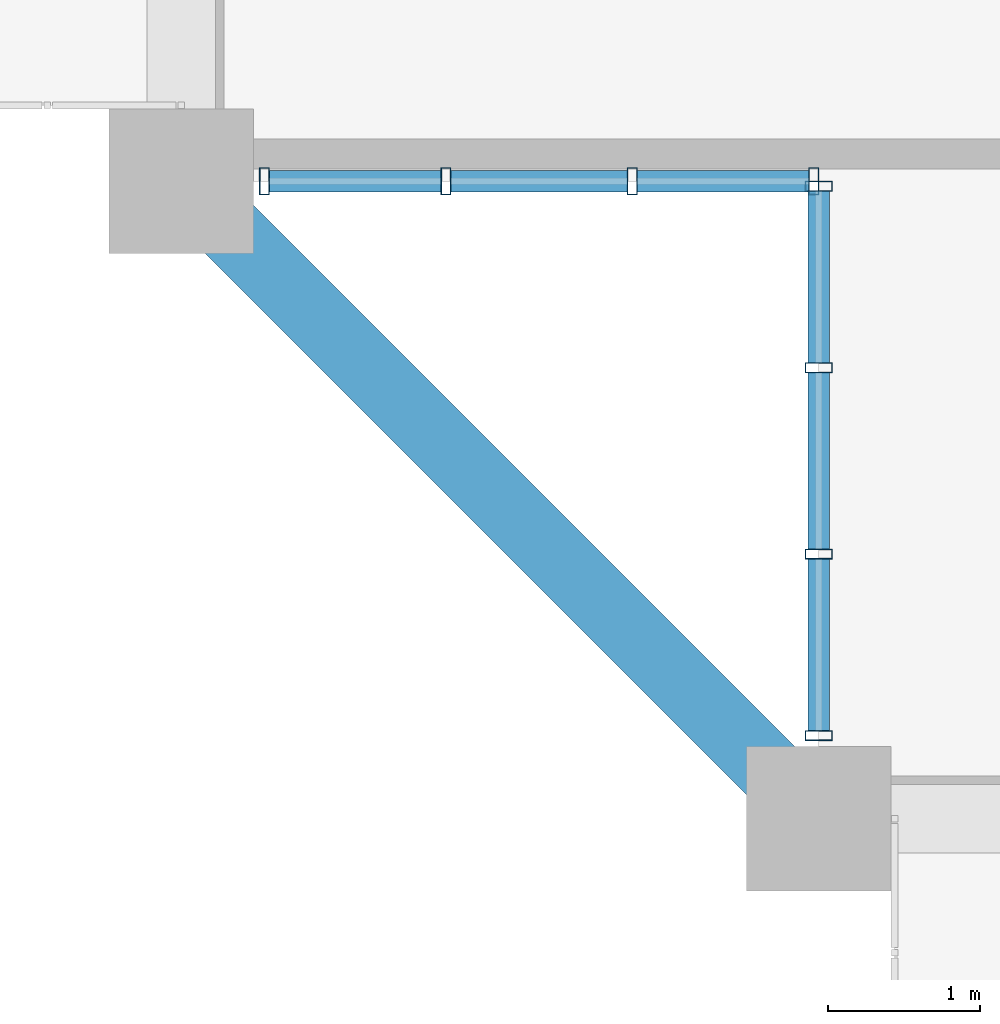
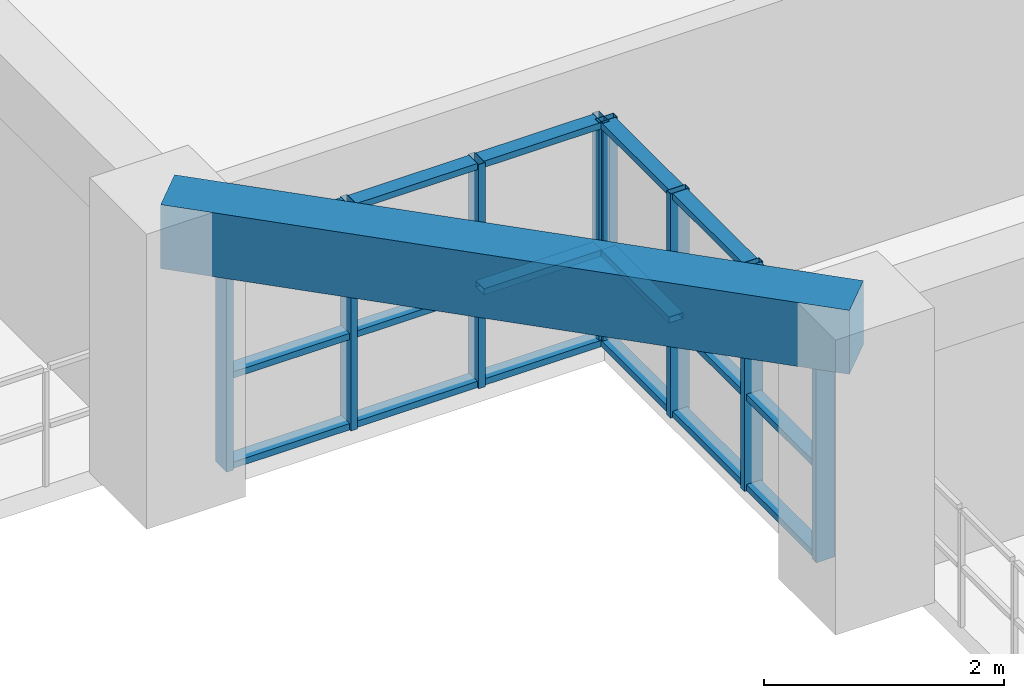
# One storey, part 2 of 24: 26 members, 1 beam, 2 elements without a shape of their own.
"""IFC4 building model written with IfcOpenShell, lengths in metres."""

from ifc_helpers import new_model, si_unit, direction, frame, origin, origin_2d, place, context, subcontext, project, spatial, rectangle, hollow_rectangle, extrude, source, transform, mapped, material, layer, layer_set, material_profile, profile_set, type_object, element, aggregate, save


model = new_model("IFC4")

# Units and contexts
model_context = context("Model", 3, precision=1e-05, world=origin(), true_north=direction((0.0, 1.0)))
body_context = subcontext(model_context, "Body", "Model", "MODEL_VIEW")
ifc_project = project(units=[si_unit("LENGTHUNIT", "METRE"), si_unit("AREAUNIT", "SQUARE_METRE"), si_unit("VOLUMEUNIT", "CUBIC_METRE"), si_unit("PLANEANGLEUNIT", "RADIAN"), si_unit("MASSUNIT", "GRAM", prefix="KILO")], contexts=[model_context])

# Site, building, storey
site_placement = place(None, origin())
site = spatial("IfcSite", under=ifc_project, at=site_placement, CompositionType="ELEMENT")
building_placement = place(site_placement, origin())
building = spatial("IfcBuilding", under=site, at=building_placement, Name="Saelheon Loggia Tower", CompositionType="ELEMENT")
storey_placement = place(building_placement, frame((0.0, 0.0, 98.85009765625)))
storey = spatial("IfcBuildingStorey", under=building, at=storey_placement, Name="L31", CompositionType="ELEMENT", Elevation=98.85009765625)

# Beam
ifc_material_1 = material(Name="Concrete C40/50", Category="concrete")
ifc_material_profile_1 = material_profile(ifc_material_1, rectangle(XDim=0.449951171875, YDim=0.64990234375, at=origin_2d()), Name="RC-450x650")
ifc_profile_set_1 = profile_set([ifc_material_profile_1], Name="Concrete C40/50")
beam_type = type_object("IfcBeamType", Name="Beam_PerimTower_RC450x650", PredefinedType="BEAM", material=ifc_profile_set_1)
shared_shape_1 = source(origin(), body_context, "Body", "SweptSolid", [
    extrude(rectangle(XDim=0.449951171875, YDim=0.64990234375, at=origin_2d()), origin(), (0.0, 0.0, 1.0), 5.939697265625),
])
beam_placement = place(storey_placement, frame((12.0, 7.199951171875, 2.6748046875), z_axis=(0.707106781187, -0.707106781187, 0.0), x_axis=(0.707106781187, 0.707106781187, 0.0)))
element("IfcBeam", 1, at=beam_placement, inside=storey, type_object=beam_type, Name="L31 Perimeter Frame Girder 16", PredefinedType="BEAM", context=body_context, shape_type="MappedRepresentation", body=[
    mapped(shared_shape_1, transform((0.0, 0.0, 0.0), scale=1.0)),
])

# Curtain wall, members
ifc_material_2 = material(Name="Thermal-Break Aluminium and Triple Low-E Glass", Category="aluminium")
ifc_layer = layer(ifc_material_2, 0.159912109375)
ifc_layer_set = layer_set([ifc_layer], Name="Thermal-Break Aluminium and Triple Low-E Glass")
curtain_wall_type = type_object("IfcCurtainWallType", Name="CW_TowerLoggiaLow", PredefinedType="NOTDEFINED", material=ifc_layer_set)
curtain_wall_1_placement = place(storey_placement, origin())
curtain_wall_1 = element("IfcCurtainWall", 2, at=curtain_wall_1_placement, inside=storey, type_object=curtain_wall_type, Name="L31 Corner Notch Glazing SW1", PredefinedType="NOTDEFINED")
ifc_material_3 = material(Name="Anodised Aluminium 6063-T6", Category="aluminium")
ifc_material_profile_2 = material_profile(ifc_material_3, hollow_rectangle(XDim=0.06494140625, YDim=0.179931640625, WallThickness=0.00390625, at=origin_2d()), Name="RHS-180x65x4")
ifc_profile_set_2 = profile_set([ifc_material_profile_2], Name="Anodised Aluminium 6063-T6")
member_type_1 = type_object("IfcMemberType", Name="CW_TowerLoggiaLow_Mullion", PredefinedType="MULLION", material=ifc_profile_set_2)
shared_shape_2 = source(origin(), body_context, "Body", "SweptSolid", [
    extrude(hollow_rectangle(XDim=0.06494140625, YDim=0.179931640625, WallThickness=0.00390625, at=origin_2d()), origin(), (0.0, 0.0, 1.0), 2.27978515625),
])
member_1_placement = place(storey_placement, frame((16.199951171875, 3.547607421875, 0.0), z_axis=(0.0, 0.0, 1.0), x_axis=(0.0, 1.0, 0.0)))
member_1 = element("IfcMember", 3, at=member_1_placement, type_object=member_type_1, Name="CW3 mullion 1", PredefinedType="MULLION", context=body_context, shape_type="MappedRepresentation", body=[
    mapped(shared_shape_2, transform((0.0, 0.0, 0.0), scale=1.0)),
])
member_2_placement = place(storey_placement, frame((16.199951171875, 4.743408203125, 0.0), z_axis=(0.0, 0.0, 1.0), x_axis=(0.0, 1.0, 0.0)))
member_2 = element("IfcMember", 4, at=member_2_placement, type_object=member_type_1, Name="CW3 mullion 2", PredefinedType="MULLION", context=body_context, shape_type="MappedRepresentation", body=[
    mapped(shared_shape_2, transform((0.0, 0.0, 0.0), scale=1.0)),
])
member_3_placement = place(storey_placement, frame((16.199951171875, 5.9716796875, 0.0), z_axis=(0.0, 0.0, 1.0), x_axis=(0.0, 1.0, 0.0)))
member_3 = element("IfcMember", 5, at=member_3_placement, type_object=member_type_1, Name="CW3 mullion 3", PredefinedType="MULLION", context=body_context, shape_type="MappedRepresentation", body=[
    mapped(shared_shape_2, transform((0.0, 0.0, 0.0), scale=1.0)),
])
member_4_placement = place(storey_placement, frame((16.199951171875, 7.16748046875, 0.0), z_axis=(0.0, 0.0, 1.0), x_axis=(0.0, 1.0, 0.0)))
member_4 = element("IfcMember", 6, at=member_4_placement, type_object=member_type_1, Name="CW3 mullion 4", PredefinedType="MULLION", context=body_context, shape_type="MappedRepresentation", body=[
    mapped(shared_shape_2, transform((0.0, 0.0, 0.0), scale=1.0)),
])

curtain_wall_2_placement = place(storey_placement, origin())
curtain_wall_2 = element("IfcCurtainWall", 7, at=curtain_wall_2_placement, inside=storey, type_object=curtain_wall_type, Name="L31 Corner Notch Glazing SW2", PredefinedType="NOTDEFINED")
member_5_placement = place(storey_placement, frame((12.547607421875, 7.199951171875, 0.0), z_axis=(0.0, 0.0, 1.0), x_axis=(1.0, 0.0, 0.0)))
member_5 = element("IfcMember", 8, at=member_5_placement, type_object=member_type_1, Name="CW3 mullion 1", PredefinedType="MULLION", context=body_context, shape_type="MappedRepresentation", body=[
    mapped(shared_shape_2, transform((0.0, 0.0, 0.0), scale=1.0)),
])
member_6_placement = place(storey_placement, frame((13.743408203125, 7.199951171875, 0.0), z_axis=(0.0, 0.0, 1.0), x_axis=(1.0, 0.0, 0.0)))
member_6 = element("IfcMember", 9, at=member_6_placement, type_object=member_type_1, Name="CW3 mullion 2", PredefinedType="MULLION", context=body_context, shape_type="MappedRepresentation", body=[
    mapped(shared_shape_2, transform((0.0, 0.0, 0.0), scale=1.0)),
])
member_7_placement = place(storey_placement, frame((14.9716796875, 7.199951171875, 0.0), z_axis=(0.0, 0.0, 1.0), x_axis=(1.0, 0.0, 0.0)))
member_7 = element("IfcMember", 10, at=member_7_placement, type_object=member_type_1, Name="CW3 mullion 3", PredefinedType="MULLION", context=body_context, shape_type="MappedRepresentation", body=[
    mapped(shared_shape_2, transform((0.0, 0.0, 0.0), scale=1.0)),
])
member_8_placement = place(storey_placement, frame((16.16748046875, 7.199951171875, 0.0), z_axis=(0.0, 0.0, 1.0), x_axis=(1.0, 0.0, 0.0)))
member_8 = element("IfcMember", 11, at=member_8_placement, type_object=member_type_1, Name="CW3 mullion 4", PredefinedType="MULLION", context=body_context, shape_type="MappedRepresentation", body=[
    mapped(shared_shape_2, transform((0.0, 0.0, 0.0), scale=1.0)),
])

# Member
ifc_material_profile_3 = material_profile(ifc_material_3, hollow_rectangle(XDim=0.06494140625, YDim=0.139892578125, WallThickness=0.00390625, at=origin_2d()), Name="RHS-140x65x4")
ifc_profile_set_3 = profile_set([ifc_material_profile_3], Name="Anodised Aluminium 6063-T6")
member_type_2 = type_object("IfcMemberType", Name="CW_TowerLoggiaLow_Transom", PredefinedType="USERDEFINED", material=ifc_profile_set_3)
shared_shape_3 = source(origin(), body_context, "Body", "SweptSolid", [
    extrude(hollow_rectangle(XDim=0.06494140625, YDim=0.139892578125, WallThickness=0.00390625, at=origin_2d()), origin(), (0.0, 0.0, 1.0), 1.130859375),
])
member_9_placement = place(storey_placement, frame((16.199951171875, 3.580078125, 0.032470703125), z_axis=(0.0, 1.0, 0.0), x_axis=(0.0, 0.0, 1.0)))
member_9 = element("IfcMember", 12, at=member_9_placement, type_object=member_type_2, Name="CW3 transom 1.1", ObjectType="TRANSOM", PredefinedType="USERDEFINED", context=body_context, shape_type="MappedRepresentation", body=[
    mapped(shared_shape_3, transform((0.0, 0.0, 0.0), scale=1.0)),
])

member_10_placement = place(storey_placement, frame((16.199951171875, 3.580078125, 0.949951171875), z_axis=(0.0, 1.0, 0.0), x_axis=(0.0, 0.0, 1.0)))
member_10 = element("IfcMember", 13, at=member_10_placement, type_object=member_type_2, Name="CW3 transom 1.2", ObjectType="TRANSOM", PredefinedType="USERDEFINED", context=body_context, shape_type="MappedRepresentation", body=[
    mapped(shared_shape_3, transform((0.0, 0.0, 0.0), scale=1.0)),
])

member_11_placement = place(storey_placement, frame((16.199951171875, 3.580078125, 2.247314453125), z_axis=(0.0, 1.0, 0.0), x_axis=(0.0, 0.0, 1.0)))
member_11 = element("IfcMember", 14, at=member_11_placement, type_object=member_type_2, Name="CW3 transom 1.3", ObjectType="TRANSOM", PredefinedType="USERDEFINED", context=body_context, shape_type="MappedRepresentation", body=[
    mapped(shared_shape_3, transform((0.0, 0.0, 0.0), scale=1.0)),
])

member_12_placement = place(storey_placement, frame((16.199951171875, 6.004150390625, 0.032470703125), z_axis=(0.0, 1.0, 0.0), x_axis=(0.0, 0.0, 1.0)))
member_12 = element("IfcMember", 15, at=member_12_placement, type_object=member_type_2, Name="CW3 transom 3.1", ObjectType="TRANSOM", PredefinedType="USERDEFINED", context=body_context, shape_type="MappedRepresentation", body=[
    mapped(shared_shape_3, transform((0.0, 0.0, 0.0), scale=1.0)),
])

member_13_placement = place(storey_placement, frame((16.199951171875, 6.004150390625, 0.949951171875), z_axis=(0.0, 1.0, 0.0), x_axis=(0.0, 0.0, 1.0)))
member_13 = element("IfcMember", 16, at=member_13_placement, type_object=member_type_2, Name="CW3 transom 3.2", ObjectType="TRANSOM", PredefinedType="USERDEFINED", context=body_context, shape_type="MappedRepresentation", body=[
    mapped(shared_shape_3, transform((0.0, 0.0, 0.0), scale=1.0)),
])

member_14_placement = place(storey_placement, frame((16.199951171875, 6.004150390625, 2.247314453125), z_axis=(0.0, 1.0, 0.0), x_axis=(0.0, 0.0, 1.0)))
member_14 = element("IfcMember", 17, at=member_14_placement, type_object=member_type_2, Name="CW3 transom 3.3", ObjectType="TRANSOM", PredefinedType="USERDEFINED", context=body_context, shape_type="MappedRepresentation", body=[
    mapped(shared_shape_3, transform((0.0, 0.0, 0.0), scale=1.0)),
])

member_15_placement = place(storey_placement, frame((12.580078125, 7.199951171875, 0.032470703125), z_axis=(1.0, 0.0, 0.0), x_axis=(0.0, 0.0, 1.0)))
member_15 = element("IfcMember", 18, at=member_15_placement, type_object=member_type_2, Name="CW3 transom 1.1", ObjectType="TRANSOM", PredefinedType="USERDEFINED", context=body_context, shape_type="MappedRepresentation", body=[
    mapped(shared_shape_3, transform((0.0, 0.0, 0.0), scale=1.0)),
])

member_16_placement = place(storey_placement, frame((12.580078125, 7.199951171875, 0.949951171875), z_axis=(1.0, 0.0, 0.0), x_axis=(0.0, 0.0, 1.0)))
member_16 = element("IfcMember", 19, at=member_16_placement, type_object=member_type_2, Name="CW3 transom 1.2", ObjectType="TRANSOM", PredefinedType="USERDEFINED", context=body_context, shape_type="MappedRepresentation", body=[
    mapped(shared_shape_3, transform((0.0, 0.0, 0.0), scale=1.0)),
])

member_17_placement = place(storey_placement, frame((12.580078125, 7.199951171875, 2.247314453125), z_axis=(1.0, 0.0, 0.0), x_axis=(0.0, 0.0, 1.0)))
member_17 = element("IfcMember", 20, at=member_17_placement, type_object=member_type_2, Name="CW3 transom 1.3", ObjectType="TRANSOM", PredefinedType="USERDEFINED", context=body_context, shape_type="MappedRepresentation", body=[
    mapped(shared_shape_3, transform((0.0, 0.0, 0.0), scale=1.0)),
])

member_18_placement = place(storey_placement, frame((15.004150390625, 7.199951171875, 0.032470703125), z_axis=(1.0, 0.0, 0.0), x_axis=(0.0, 0.0, 1.0)))
member_18 = element("IfcMember", 21, at=member_18_placement, type_object=member_type_2, Name="CW3 transom 3.1", ObjectType="TRANSOM", PredefinedType="USERDEFINED", context=body_context, shape_type="MappedRepresentation", body=[
    mapped(shared_shape_3, transform((0.0, 0.0, 0.0), scale=1.0)),
])

member_19_placement = place(storey_placement, frame((15.004150390625, 7.199951171875, 0.949951171875), z_axis=(1.0, 0.0, 0.0), x_axis=(0.0, 0.0, 1.0)))
member_19 = element("IfcMember", 22, at=member_19_placement, type_object=member_type_2, Name="CW3 transom 3.2", ObjectType="TRANSOM", PredefinedType="USERDEFINED", context=body_context, shape_type="MappedRepresentation", body=[
    mapped(shared_shape_3, transform((0.0, 0.0, 0.0), scale=1.0)),
])

member_20_placement = place(storey_placement, frame((15.004150390625, 7.199951171875, 2.247314453125), z_axis=(1.0, 0.0, 0.0), x_axis=(0.0, 0.0, 1.0)))
member_20 = element("IfcMember", 23, at=member_20_placement, type_object=member_type_2, Name="CW3 transom 3.3", ObjectType="TRANSOM", PredefinedType="USERDEFINED", context=body_context, shape_type="MappedRepresentation", body=[
    mapped(shared_shape_3, transform((0.0, 0.0, 0.0), scale=1.0)),
])

shared_shape_4 = source(origin(), body_context, "Body", "SweptSolid", [
    extrude(hollow_rectangle(XDim=0.06494140625, YDim=0.139892578125, WallThickness=0.00390625, at=origin_2d()), origin(), (0.0, 0.0, 1.0), 1.163330078125),
])
member_21_placement = place(storey_placement, frame((16.199951171875, 4.77587890625, 0.032470703125), z_axis=(0.0, 1.0, 0.0), x_axis=(0.0, 0.0, 1.0)))
member_21 = element("IfcMember", 24, at=member_21_placement, type_object=member_type_2, Name="CW3 transom 2.1", ObjectType="TRANSOM", PredefinedType="USERDEFINED", context=body_context, shape_type="MappedRepresentation", body=[
    mapped(shared_shape_4, transform((0.0, 0.0, 0.0), scale=1.0)),
])

member_22_placement = place(storey_placement, frame((16.199951171875, 4.77587890625, 0.949951171875), z_axis=(0.0, 1.0, 0.0), x_axis=(0.0, 0.0, 1.0)))
member_22 = element("IfcMember", 25, at=member_22_placement, type_object=member_type_2, Name="CW3 transom 2.2", ObjectType="TRANSOM", PredefinedType="USERDEFINED", context=body_context, shape_type="MappedRepresentation", body=[
    mapped(shared_shape_4, transform((0.0, 0.0, 0.0), scale=1.0)),
])

member_23_placement = place(storey_placement, frame((16.199951171875, 4.77587890625, 2.247314453125), z_axis=(0.0, 1.0, 0.0), x_axis=(0.0, 0.0, 1.0)))
member_23 = element("IfcMember", 26, at=member_23_placement, type_object=member_type_2, Name="CW3 transom 2.3", ObjectType="TRANSOM", PredefinedType="USERDEFINED", context=body_context, shape_type="MappedRepresentation", body=[
    mapped(shared_shape_4, transform((0.0, 0.0, 0.0), scale=1.0)),
])

aggregate(curtain_wall_1, [member_1, member_2, member_3, member_4, member_9, member_10, member_11, member_21, member_22, member_23, member_12, member_13, member_14])

member_24_placement = place(storey_placement, frame((13.77587890625, 7.199951171875, 0.032470703125), z_axis=(1.0, 0.0, 0.0), x_axis=(0.0, 0.0, 1.0)))
member_24 = element("IfcMember", 27, at=member_24_placement, type_object=member_type_2, Name="CW3 transom 2.1", ObjectType="TRANSOM", PredefinedType="USERDEFINED", context=body_context, shape_type="MappedRepresentation", body=[
    mapped(shared_shape_4, transform((0.0, 0.0, 0.0), scale=1.0)),
])

member_25_placement = place(storey_placement, frame((13.77587890625, 7.199951171875, 0.949951171875), z_axis=(1.0, 0.0, 0.0), x_axis=(0.0, 0.0, 1.0)))
member_25 = element("IfcMember", 28, at=member_25_placement, type_object=member_type_2, Name="CW3 transom 2.2", ObjectType="TRANSOM", PredefinedType="USERDEFINED", context=body_context, shape_type="MappedRepresentation", body=[
    mapped(shared_shape_4, transform((0.0, 0.0, 0.0), scale=1.0)),
])

member_26_placement = place(storey_placement, frame((13.77587890625, 7.199951171875, 2.247314453125), z_axis=(1.0, 0.0, 0.0), x_axis=(0.0, 0.0, 1.0)))
member_26 = element("IfcMember", 29, at=member_26_placement, type_object=member_type_2, Name="CW3 transom 2.3", ObjectType="TRANSOM", PredefinedType="USERDEFINED", context=body_context, shape_type="MappedRepresentation", body=[
    mapped(shared_shape_4, transform((0.0, 0.0, 0.0), scale=1.0)),
])

aggregate(curtain_wall_2, [member_5, member_6, member_7, member_8, member_15, member_16, member_17, member_24, member_25, member_26, member_18, member_19, member_20])

save(model, "model.ifc")
